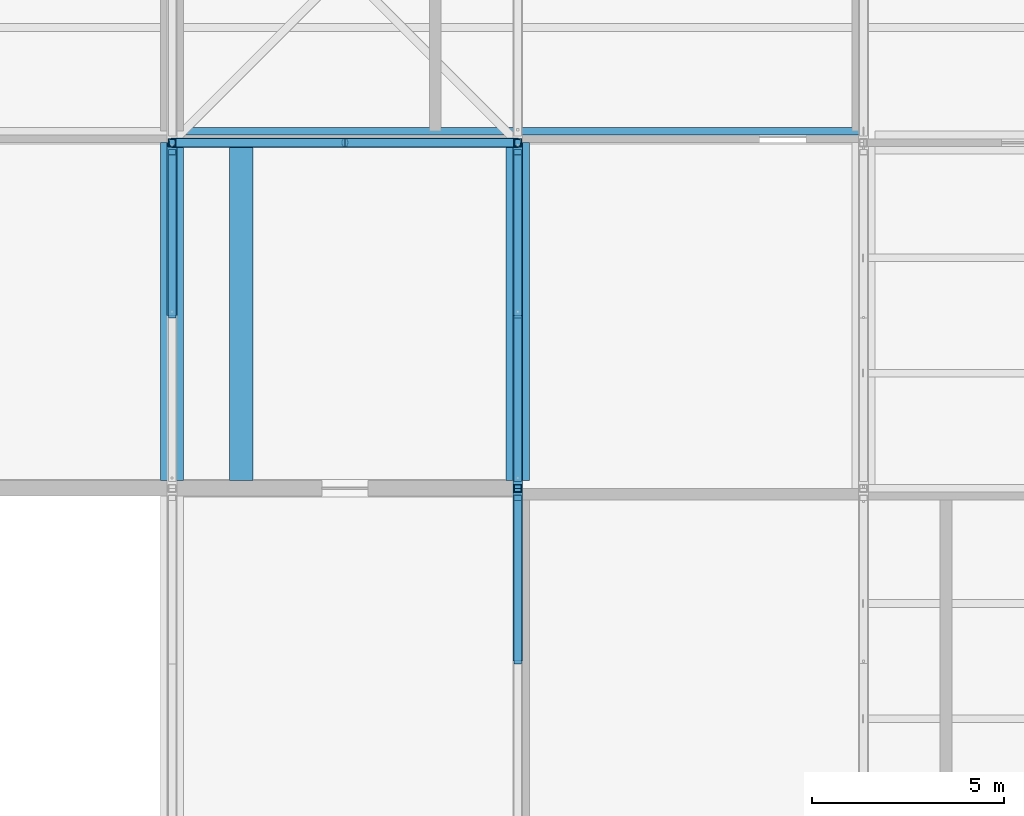
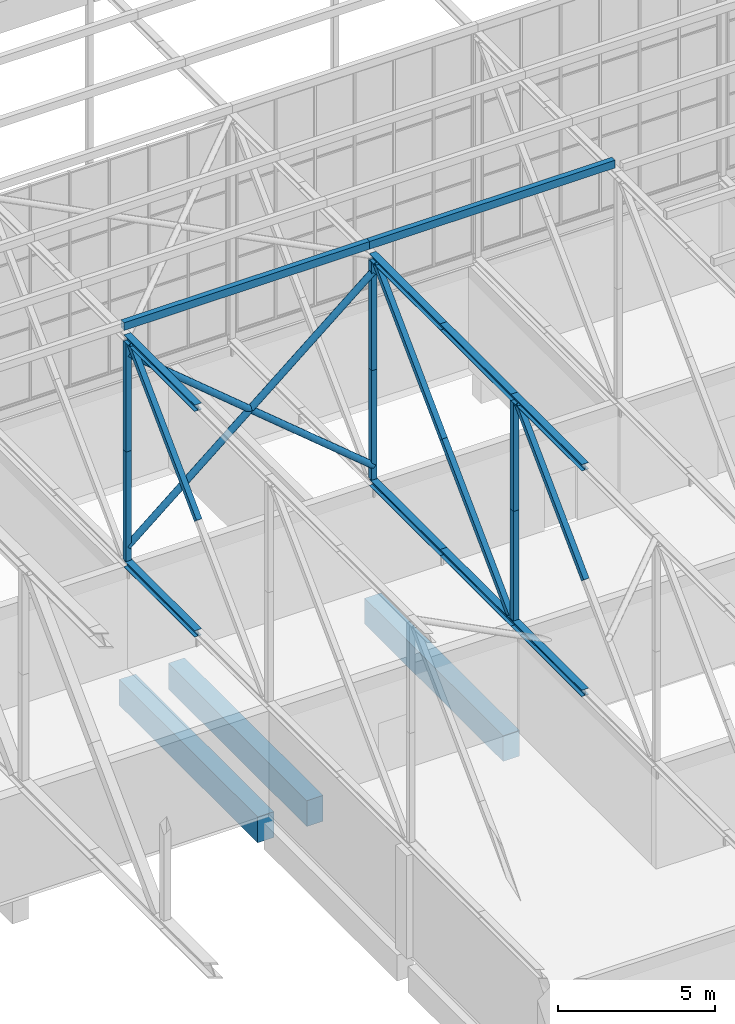
# One storey, part 81 of 646: 24 members, 3 beams.
"""IFC4 building model written with IfcOpenShell, lengths in metres."""

from ifc_helpers import new_model, si_unit, direction, frame, origin, origin_2d, place, context, subcontext, project, spatial, rectangle, hollow_rectangle, hollow_circle, i_section, extrude, material, material_profile, profile_set, type_object, element, save


model = new_model("IFC4")

# Units and contexts
model_context = context("Model", 3, precision=1e-05, world=origin(), true_north=direction((0.0, 1.0)))
body_context = subcontext(model_context, "Body", "Model", "MODEL_VIEW")
ifc_project = project(units=[si_unit("LENGTHUNIT", "METRE"), si_unit("AREAUNIT", "SQUARE_METRE"), si_unit("VOLUMEUNIT", "CUBIC_METRE"), si_unit("PLANEANGLEUNIT", "RADIAN"), si_unit("MASSUNIT", "GRAM", prefix="KILO")], contexts=[model_context])

# Site, building, storey
site_placement = place(None, origin())
site = spatial("IfcSite", under=ifc_project, at=site_placement, CompositionType="ELEMENT")
building_placement = place(site_placement, origin())
building = spatial("IfcBuilding", under=site, at=building_placement, Name="Silverbay Arena", CompositionType="ELEMENT")
storey_placement = place(building_placement, frame((0.0, 0.0, 33.5)))
storey = spatial("IfcBuildingStorey", under=building, at=storey_placement, Name="L05", CompositionType="ELEMENT", Elevation=33.5)

# Members
ifc_material_1 = material(Name="Steel S355", Category="steel")
ifc_material_profile_1 = material_profile(ifc_material_1, i_section(OverallWidth=0.254638671875, OverallDepth=0.254150390625, WebThickness=0.008544921875, FlangeThickness=0.01416015625, at=origin_2d()), Name="UC 254x254x73")
ifc_profile_set_1 = profile_set([ifc_material_profile_1], Name="Steel S355")
member_type_1 = type_object("IfcMemberType", Name="Medium-span bottom chord UC 254x254x73", PredefinedType="CHORD", material=ifc_profile_set_1)
for number, where, z_axis, x_axis, name in (
    (1, (162.0, 130.5, 4.126953125), (0.0, 1.0, 0.0), (-1.0, 0.0, 0.0), "ROOF TRUSS 19 bottom chord 14b"),
    (2, (171.0, 121.5, 4.126953125), (0.0, 1.0, 0.0), (-1.0, 0.0, 0.0), "ROOF TRUSS 20 bottom chord 13b"),
    (3, (171.0, 126.0, 4.126953125), (0.0, 1.0, 0.0), (-1.0, 0.0, 0.0), "ROOF TRUSS 20 bottom chord 14a"),
    (4, (171.0, 130.5, 4.126953125), (0.0, 1.0, 0.0), (-1.0, 0.0, 0.0), "ROOF TRUSS 20 bottom chord 14b"),
):
    element("IfcMember", number, at=place(storey_placement, frame(where, z_axis=z_axis, x_axis=x_axis)), inside=storey, type_object=member_type_1, Name=name, PredefinedType="CHORD", context=body_context, shape_type="SweptSolid", body=[
        extrude(i_section(OverallWidth=0.254638671875, OverallDepth=0.254150390625, WebThickness=0.008544921875, FlangeThickness=0.01416015625, at=origin_2d()), origin(), (0.0, 0.0, 1.0), 4.5),
    ])
ifc_material_2 = material(Name="Steel S355", Category="steel")
ifc_material_profile_2 = material_profile(ifc_material_2, i_section(OverallWidth=0.254638671875, OverallDepth=0.254150390625, WebThickness=0.008544921875, FlangeThickness=0.01416015625, at=origin_2d()), Name="UC 254x254x73")
ifc_profile_set_2 = profile_set([ifc_material_profile_2], Name="Steel S355")
member_type_2 = type_object("IfcMemberType", Name="Medium-span top chord UC 254x254x73", PredefinedType="CHORD", material=ifc_profile_set_2)
for number, where, z_axis, x_axis, name in (
    (5, (162.0, 130.5, 12.873046875), (0.0, 1.0, 0.0), (-1.0, 0.0, 0.0), "ROOF TRUSS 19 top chord 14b"),
    (6, (171.0, 121.5, 12.873046875), (0.0, 1.0, 0.0), (-1.0, 0.0, 0.0), "ROOF TRUSS 20 top chord 13b"),
    (7, (171.0, 126.0, 12.873046875), (0.0, 1.0, 0.0), (-1.0, 0.0, 0.0), "ROOF TRUSS 20 top chord 14a"),
    (8, (171.0, 130.5, 12.873046875), (0.0, 1.0, 0.0), (-1.0, 0.0, 0.0), "ROOF TRUSS 20 top chord 14b"),
):
    element("IfcMember", number, at=place(storey_placement, frame(where, z_axis=z_axis, x_axis=x_axis)), inside=storey, type_object=member_type_2, Name=name, PredefinedType="CHORD", context=body_context, shape_type="SweptSolid", body=[
        extrude(i_section(OverallWidth=0.254638671875, OverallDepth=0.254150390625, WebThickness=0.008544921875, FlangeThickness=0.01416015625, at=origin_2d()), origin(), (0.0, 0.0, 1.0), 4.5),
    ])
ifc_material_3 = material(Name="Steel S355", Category="steel")
ifc_material_profile_3 = material_profile(ifc_material_3, hollow_rectangle(XDim=0.199951171875, YDim=0.199951171875, WallThickness=0.008056640625, at=origin_2d()), Name="SHS 200x200x8")
ifc_profile_set_3 = profile_set([ifc_material_profile_3], Name="Steel S355")
member_type_3 = type_object("IfcMemberType", Name="Medium-span truss diagonal SHS 200x200x8", PredefinedType="BRACE", material=ifc_profile_set_3)
for number, where, z_axis, x_axis, name in (
    (9, (162.0, 134.75439453125, 12.745849609375), (0.0, -0.70781724692, -0.706395600894), (1.0, 0.0, 0.0), "ROOF TRUSS 19 diagonal 14a"),
    (10, (171.0, 125.75439453125, 12.745849609375), (0.0, -0.70781724692, -0.706395600894), (1.0, 0.0, 0.0), "ROOF TRUSS 20 diagonal 13a"),
    (11, (171.0, 134.75439453125, 12.745849609375), (0.0, -0.70781724692, -0.706395600894), (1.0, 0.0, 0.0), "ROOF TRUSS 20 diagonal 14a"),
    (12, (171.0, 130.5, 8.5), (0.0, -0.70781724692, -0.706395600894), (1.0, 0.0, 0.0), "ROOF TRUSS 20 diagonal 14b"),
):
    element("IfcMember", number, at=place(storey_placement, frame(where, z_axis=z_axis, x_axis=x_axis)), inside=storey, type_object=member_type_3, Name=name, PredefinedType="BRACE", context=body_context, shape_type="SweptSolid", body=[
        extrude(hollow_rectangle(XDim=0.199951171875, YDim=0.199951171875, WallThickness=0.008056640625, at=origin_2d()), origin(), (0.0, 0.0, 1.0), 6.010498046875),
    ])
ifc_material_4 = material(Name="Steel S355", Category="steel")
ifc_material_profile_4 = material_profile(ifc_material_4, hollow_rectangle(XDim=0.199951171875, YDim=0.199951171875, WallThickness=0.008056640625, at=origin_2d()), Name="SHS 200x200x8")
ifc_profile_set_4 = profile_set([ifc_material_profile_4], Name="Steel S355")
member_type_4 = type_object("IfcMemberType", Name="Medium-span truss vertical SHS 200x200x8", PredefinedType="STRUT", material=ifc_profile_set_4)
for number, where, z_axis, x_axis, name in (
    (13, (162.0, 135.0, 4.254150390625), (0.0, 0.0, 1.0), (1.0, 0.0, 0.0), "ROOF TRUSS 19 vertical 15a"),
    (14, (162.0, 135.0, 8.5), (0.0, 0.0, 1.0), (1.0, 0.0, 0.0), "ROOF TRUSS 19 vertical 15b"),
    (15, (171.0, 126.0, 4.254150390625), (0.0, 0.0, 1.0), (1.0, 0.0, 0.0), "ROOF TRUSS 20 vertical 14a"),
    (16, (171.0, 126.0, 8.5), (0.0, 0.0, 1.0), (1.0, 0.0, 0.0), "ROOF TRUSS 20 vertical 14b"),
    (17, (171.0, 135.0, 4.254150390625), (0.0, 0.0, 1.0), (1.0, 0.0, 0.0), "ROOF TRUSS 20 vertical 15a"),
    (18, (171.0, 135.0, 8.5), (0.0, 0.0, 1.0), (1.0, 0.0, 0.0), "ROOF TRUSS 20 vertical 15b"),
):
    element("IfcMember", number, at=place(storey_placement, frame(where, z_axis=z_axis, x_axis=x_axis)), inside=storey, type_object=member_type_4, Name=name, PredefinedType="STRUT", context=body_context, shape_type="SweptSolid", body=[
        extrude(hollow_rectangle(XDim=0.199951171875, YDim=0.199951171875, WallThickness=0.008056640625, at=origin_2d()), origin(), (0.0, 0.0, 1.0), 4.245849609375),
    ])
ifc_material_5 = material(Name="Steel S355", Category="steel")
ifc_material_profile_5 = material_profile(ifc_material_5, hollow_rectangle(XDim=0.199951171875, YDim=0.300048828125, WallThickness=0.00634765625, at=origin_2d()), Name="RHS 300x200x6.3")
ifc_profile_set_5 = profile_set([ifc_material_profile_5], Name="Steel S355")
member_type_5 = type_object("IfcMemberType", Name="Purlin RHS 300x200x6.3", PredefinedType="PURLIN", material=ifc_profile_set_5)
for number, where, z_axis, x_axis, name in (
    (19, (162.0, 135.300048828125, 13.14990234375), (1.0, 0.0, 0.0), (0.0, 1.0, 0.0), "ROOF PURLIN crown rim north 19-20"),
    (20, (171.0, 135.300048828125, 13.14990234375), (1.0, 0.0, 0.0), (0.0, 1.0, 0.0), "ROOF PURLIN crown rim north 20-21"),
):
    element("IfcMember", number, at=place(storey_placement, frame(where, z_axis=z_axis, x_axis=x_axis)), inside=storey, type_object=member_type_5, Name=name, PredefinedType="PURLIN", context=body_context, shape_type="SweptSolid", body=[
        extrude(hollow_rectangle(XDim=0.199951171875, YDim=0.300048828125, WallThickness=0.00634765625, at=origin_2d()), origin(), (0.0, 0.0, 1.0), 9.0),
    ])

# Beams
ifc_material_6 = material(Name="Concrete Grade C45", Category="concrete")
ifc_material_profile_6 = material_profile(ifc_material_6, rectangle(XDim=0.60009765625, YDim=1.0, at=origin_2d()), Name="RC 600x1000")
ifc_profile_set_6 = profile_set([ifc_material_profile_6], Name="Concrete Grade C45")
beam_type = type_object("IfcBeamType", Name="RC beam 600x1000", PredefinedType="BEAM", material=ifc_profile_set_6)
for number, where, z_axis, x_axis, name in (
    (21, (162.0, 126.199951171875, -0.800048828125), (0.0, 1.0, 0.0), (-1.0, 0.0, 0.0), "Floor beam L05 128"),
    (22, (163.800048828125, 126.199951171875, -0.800048828125), (0.0, 1.0, 0.0), (-1.0, 0.0, 0.0), "Floor beam L05 130"),
    (23, (171.0, 126.199951171875, -0.800048828125), (0.0, 1.0, 0.0), (-1.0, 0.0, 0.0), "Floor beam L05 136"),
):
    element("IfcBeam", number, at=place(storey_placement, frame(where, z_axis=z_axis, x_axis=x_axis)), inside=storey, type_object=beam_type, Name=name, PredefinedType="BEAM", context=body_context, shape_type="SweptSolid", body=[
        extrude(rectangle(XDim=0.60009765625, YDim=1.0, at=origin_2d()), origin(), (0.0, 0.0, 1.0), 8.800048828125),
    ])

# Members
ifc_material_7 = material(Name="Steel S355", Category="steel")
ifc_material_profile_7 = material_profile(ifc_material_7, hollow_circle(Radius=0.122314453125, WallThickness=0.00634765625, at=origin_2d()), Name="CHS 244.5x6.3")
ifc_profile_set_7 = profile_set([ifc_material_profile_7], Name="Steel S355")
member_type_6 = type_object("IfcMemberType", Name="Vertical bracing CHS 244.5x6.3", PredefinedType="BRACE", material=ifc_profile_set_7)
for number, where, z_axis, x_axis, name in (
    (24, (162.0, 135.0, 4.754150390625), (0.768569784798, 0.0, 0.639765961814), (0.0, 1.0, 0.0), "ROOF BRACING vertical 19-20 line 15 Aa"),
    (25, (166.5, 135.0, 8.5), (0.768569784798, 0.0, 0.639765961814), (0.0, 1.0, 0.0), "ROOF BRACING vertical 19-20 line 15 Ab"),
    (26, (162.0, 135.0, 12.245849609375), (0.768569784798, 0.0, -0.639765961814), (0.0, 1.0, 0.0), "ROOF BRACING vertical 19-20 line 15 Ba"),
    (27, (166.5, 135.0, 8.5), (0.768569784798, 0.0, -0.639765961814), (0.0, 1.0, 0.0), "ROOF BRACING vertical 19-20 line 15 Bb"),
):
    element("IfcMember", number, at=place(storey_placement, frame(where, z_axis=z_axis, x_axis=x_axis)), inside=storey, type_object=member_type_6, Name=name, PredefinedType="BRACE", context=body_context, shape_type="SweptSolid", body=[
        extrude(hollow_circle(Radius=0.122314453125, WallThickness=0.00634765625, at=origin_2d()), origin(), (0.0, 0.0, 1.0), 5.85498046875),
    ])

save(model, "model.ifc")
